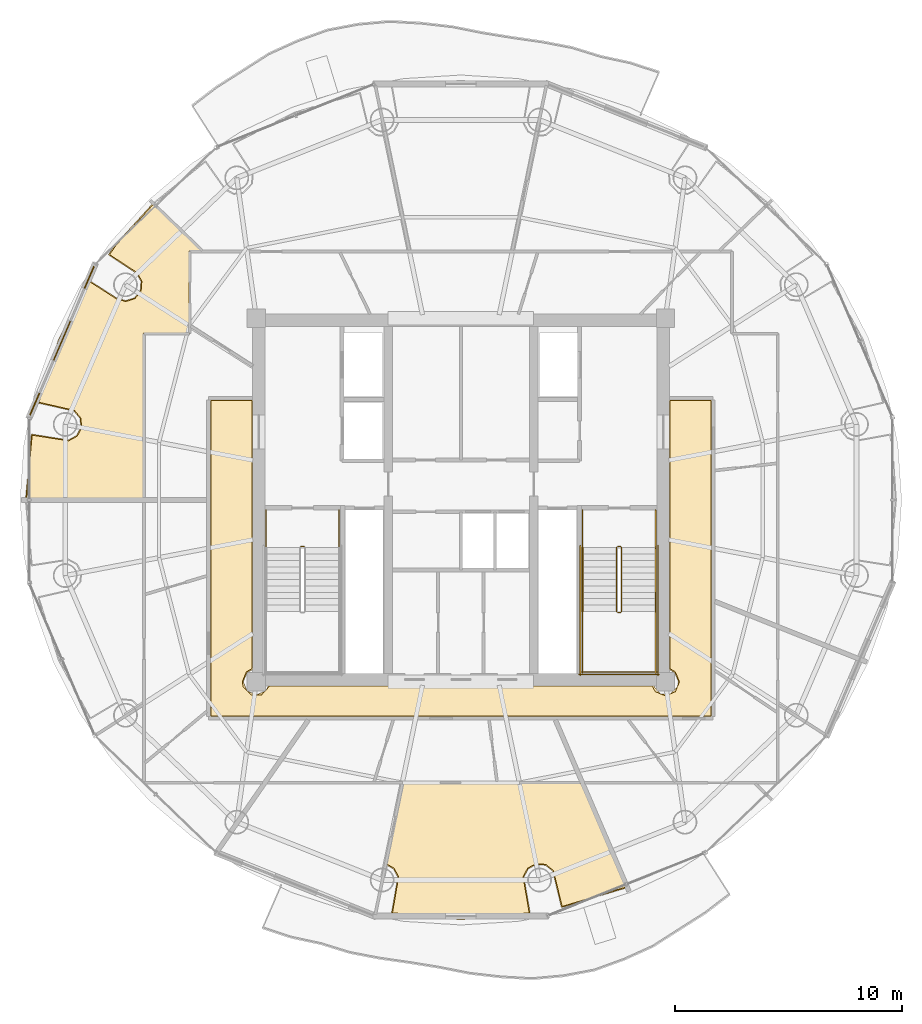
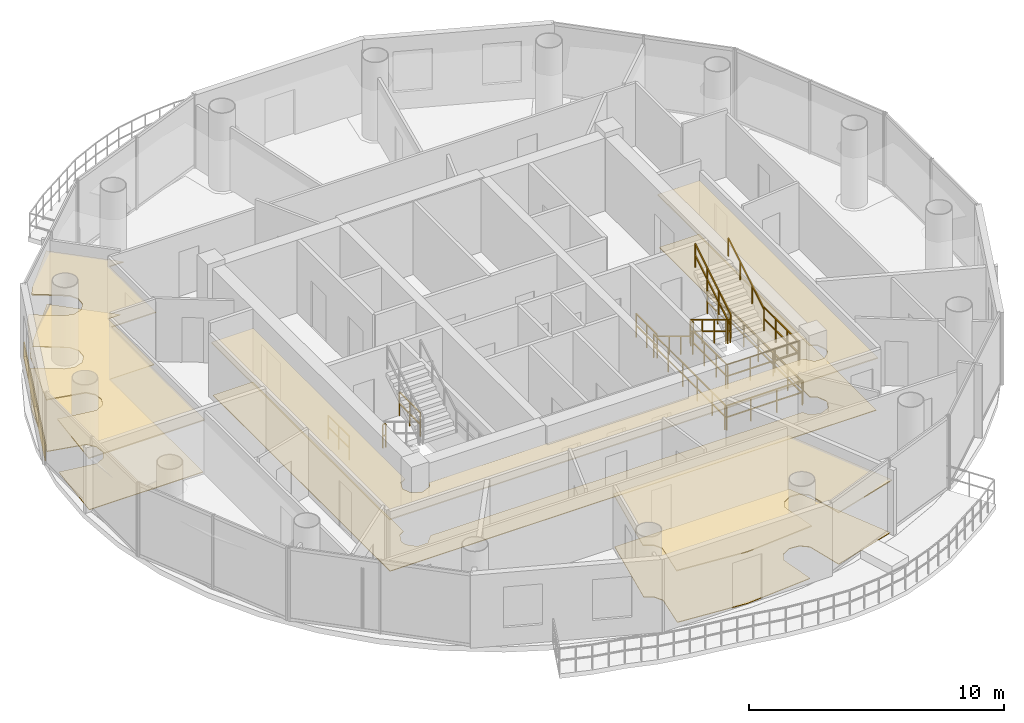
# One storey, part 23 of 24: 17 railings, 7 coverings.
"""IFC4 building model written with IfcOpenShell, lengths in metres."""

from ifc_helpers import new_model, si_unit, direction, frame, origin, origin_2d, place, context, subcontext, project, spatial, polyline, rectangle, outline, extrude, source, transform, mapped, material, layer, layer_set, type_object, element, save


model = new_model("IFC4")

# Units and contexts
model_context = context("Model", 3, precision=1e-05, world=origin(), true_north=direction((-0.2419218956, 0.970295726276)))
body_context = subcontext(model_context, "Body", "Model", "MODEL_VIEW")
ifc_project = project(units=[si_unit("LENGTHUNIT", "METRE"), si_unit("AREAUNIT", "SQUARE_METRE"), si_unit("VOLUMEUNIT", "CUBIC_METRE"), si_unit("PLANEANGLEUNIT", "RADIAN"), si_unit("MASSUNIT", "GRAM", prefix="KILO")], contexts=[model_context])

# Site, building, storey
site_placement = place(None, origin())
site = spatial("IfcSite", under=ifc_project, at=site_placement, CompositionType="ELEMENT")
building_placement = place(site_placement, origin())
building = spatial("IfcBuilding", under=site, at=building_placement, Name="Cobrevalo Terracotta Tower", CompositionType="ELEMENT")
storey_placement = place(building_placement, frame((0.0, 0.0, 278.199951171875)))
storey = spatial("IfcBuildingStorey", under=building, at=storey_placement, Name="L73", CompositionType="ELEMENT", Elevation=278.199951171875)

# Coverings
ifc_material_1 = material(Name="Engineered Brazilian hardwood flooring", Category="wood")
ifc_layer_1 = layer(ifc_material_1, 0.028076171875)
ifc_layer_set_1 = layer_set([ifc_layer_1], Name="Engineered Brazilian hardwood flooring")
covering_type_1 = type_object("IfcCoveringType", Name="Engineered Hardwood Suite Flooring 28", PredefinedType="FLOORING", material=ifc_layer_set_1)
covering_1_placement = place(storey_placement, origin())
element("IfcCovering", 1, at=covering_1_placement, inside=storey, type_object=covering_type_1, Name="Flat L73A Private Cinema Room floor finish", PredefinedType="FLOORING", context=body_context, shape_type="SweptSolid", body=[
    extrude(outline(polyline([(26.606201171875, 37.7548828125), (26.044921875, 37.7548828125), (26.044921875, 34.139892578125), (24.034912109375, 34.139892578125), (24.034912109375, 26.820068359375), (18.88134765625, 26.820068359375), (19.1357421875, 29.65087890625), (20.740966796875, 29.401611328125), (21.118408203125, 29.60693359375), (21.318115234375, 29.9873046875), (21.272705078125, 30.41455078125), (20.99755859375, 30.74462890625), (19.43505859375, 31.1005859375), (20.33544921875, 33.848876953125), (21.44140625, 36.009765625), (21.699951171875, 36.382568359375), (22.842529296875, 35.649169921875), (23.255126953125, 35.532470703125), (23.663818359375, 35.664794921875), (23.93017578125, 36.001953125), (23.964599609375, 36.43017578125), (23.7548828125, 36.805419921875), (22.5439453125, 37.599365234375), (22.830810546875, 38.01318359375), (24.47021484375, 39.81396484375), (26.606201171875, 37.7548828125)])), origin(), (0.0, 0.0, 1.0), 0.030029296875),
])
covering_2_placement = place(storey_placement, origin())
element("IfcCovering", 2, at=covering_2_placement, inside=storey, type_object=covering_type_1, Name="Flat L73C Master Bedroom floor finish", PredefinedType="FLOORING", context=body_context, shape_type="SweptSolid", body=[
    extrude(outline(polyline([(38.0, 8.380126953125), (34.994140625, 8.635498046875), (35.26416015625, 10.21630859375), (35.064453125, 10.596923828125), (34.71728515625, 10.79296875), (35.4482421875, 14.3349609375), (43.334716796875, 14.3349609375), (45.294189453125, 9.77490234375), (42.45947265625, 8.9140625), (42.074951171875, 10.49365234375), (41.74072265625, 10.763671875), (41.312744140625, 10.80224609375), (40.935546875, 10.596923828125), (40.73583984375, 10.21630859375), (41.005859375, 8.635498046875), (38.0, 8.380126953125)])), origin(), (0.0, 0.0, 1.0), 0.030029296875),
])
ifc_material_2 = material(Name="Honed terracotta and granite tile", Category="masonry")
ifc_layer_2 = layer(ifc_material_2, 0.034912109375)
ifc_layer_set_2 = layer_set([ifc_layer_2], Name="Honed terracotta and granite tile")
covering_type_2 = type_object("IfcCoveringType", Name="Honed Terracotta & Granite Interior Flooring 35", PredefinedType="FLOORING", material=ifc_layer_set_2)
covering_3_placement = place(storey_placement, origin())
element("IfcCovering", 3, at=covering_3_placement, inside=storey, type_object=covering_type_2, Name="L73 Residential Floor Corridor floor finish", PredefinedType="FLOORING", context=body_context, shape_type="SweptSolid", body=[
    extrude(outline(polyline([(26.9951171875, 31.179931640625), (28.804931640625, 31.179931640625), (28.804931640625, 19.381591796875), (28.561279296875, 19.23876953125), (28.379638671875, 18.800048828125), (28.4267578125, 18.5625), (28.7626953125, 18.226806640625), (29.2373046875, 18.226806640625), (29.58154296875, 18.60498046875), (46.41845703125, 18.60498046875), (46.561279296875, 18.361328125), (47.0, 18.1796875), (47.438720703125, 18.361328125), (47.620361328125, 18.800048828125), (47.438720703125, 19.23876953125), (47.195068359375, 19.381591796875), (47.195068359375, 31.179931640625), (49.0048828125, 31.179931640625), (49.0048828125, 17.294921875), (26.9951171875, 17.294921875), (26.9951171875, 31.179931640625)])), origin(), (0.0, 0.0, 1.0), 0.030029296875),
])
ifc_material_3 = material(Name="Acoustic perforated gypsum ceiling", Category="gypsum")
ifc_layer_3 = layer(ifc_material_3, 0.050048828125)
ifc_layer_set_3 = layer_set([ifc_layer_3], Name="Acoustic perforated gypsum ceiling")
covering_type_3 = type_object("IfcCoveringType", Name="Perforated Acoustic Gypsum Ceiling 50", PredefinedType="CEILING", material=ifc_layer_set_3)
covering_4_placement = place(storey_placement, frame((0.0, 0.0, 2.5)))
element("IfcCovering", 4, at=covering_4_placement, inside=storey, type_object=covering_type_3, Name="L73 Residential Floor Corridor acoustic ceiling", PredefinedType="CEILING", context=body_context, shape_type="SweptSolid", body=[
    extrude(outline(polyline([(26.949951171875, 31.22509765625), (28.85009765625, 31.22509765625), (28.85009765625, 19.3447265625), (28.59375, 19.206298828125), (28.425537109375, 18.800048828125), (28.59375, 18.393798828125), (29.0, 18.2255859375), (29.40625, 18.393798828125), (29.544677734375, 18.64990234375), (46.455322265625, 18.64990234375), (46.780029296875, 18.269287109375), (47.219970703125, 18.269287109375), (47.53076171875, 18.580078125), (47.574462890625, 18.800048828125), (47.40625, 19.206298828125), (47.14990234375, 19.3447265625), (47.14990234375, 31.22509765625), (49.050048828125, 31.22509765625), (49.050048828125, 17.25), (26.949951171875, 17.25), (26.949951171875, 31.22509765625)])), origin(), (0.0, 0.0, 1.0), 0.050048828125),
])
covering_5_placement = place(storey_placement, frame((0.0, 0.0, 2.5)))
element("IfcCovering", 5, at=covering_5_placement, inside=storey, type_object=covering_type_3, Name="Flat L73A Private Cinema Room acoustic ceiling", PredefinedType="CEILING", context=body_context, shape_type="SweptSolid", body=[
    extrude(outline(polyline([(26.717529296875, 37.7099609375), (26.090087890625, 37.7099609375), (26.090087890625, 34.094970703125), (24.080078125, 34.094970703125), (24.080078125, 26.77490234375), (18.833251953125, 26.77490234375), (19.100830078125, 29.703369140625), (20.731689453125, 29.44580078125), (21.086181640625, 29.638671875), (21.273681640625, 29.995849609375), (21.23095703125, 30.39697265625), (20.97265625, 30.70703125), (19.3818359375, 31.06494140625), (20.2939453125, 33.86669921875), (21.40283203125, 36.032958984375), (21.687744140625, 36.44384765625), (22.864990234375, 35.688232421875), (23.254150390625, 35.57763671875), (23.637939453125, 35.701904296875), (23.88818359375, 36.0185546875), (23.92041015625, 36.420654296875), (23.7236328125, 36.772705078125), (22.48046875, 37.586669921875), (22.795654296875, 38.041259765625), (24.468017578125, 39.87841796875), (26.717529296875, 37.7099609375)])), origin(), (0.0, 0.0, 1.0), 0.050048828125),
])
covering_6_placement = place(storey_placement, frame((0.0, 0.0, 2.5)))
element("IfcCovering", 6, at=covering_6_placement, inside=storey, type_object=covering_type_3, Name="Flat L73C Master Bedroom acoustic ceiling", PredefinedType="CEILING", context=body_context, shape_type="SweptSolid", body=[
    extrude(outline(polyline([(38.0, 8.3349609375), (34.94091796875, 8.599853515625), (35.2197265625, 10.207763671875), (35.0322265625, 10.565185546875), (34.6650390625, 10.76220703125), (35.41162109375, 14.3798828125), (43.3642578125, 14.3798828125), (45.35498046875, 9.747314453125), (42.424560546875, 8.861328125), (42.03759765625, 10.46826171875), (41.7236328125, 10.7216796875), (41.322021484375, 10.758056640625), (40.9677734375, 10.565185546875), (40.7802734375, 10.207763671875), (41.05908203125, 8.599853515625), (38.0, 8.3349609375)])), origin(), (0.0, 0.0, 1.0), 0.050048828125),
])

# Railings
ifc_material_4 = material(Name="Brushed stainless steel", Category="steel")
railing_type_1 = type_object("IfcRailingType", Name="Stainless Steel Stair Handrail 900", PredefinedType="HANDRAIL", material=ifc_material_4)
railing_1_placement = place(storey_placement, frame((43.35498046875, 24.699951171875, 0.17041015625)))
element("IfcRailing", 7, at=railing_1_placement, inside=storey, type_object=railing_type_1, Name="L73 ST-2 stair handrail 1", PredefinedType="HANDRAIL", context=body_context, shape_type="SweptSolid", body=[
    extrude(rectangle(XDim=0.048095703125, YDim=0.048095703125, at=origin_2d()), frame((0.0, 0.0, 0.8759765625), z_axis=(0.0, -0.854169791009, 0.51999420009), x_axis=(1.0, 0.0, 0.0)), (0.0, 0.0, 1.0), 3.278076171875),
    extrude(rectangle(XDim=0.0419921875, YDim=0.0419921875, at=origin_2d()), origin(), (0.0, 0.0, 1.0), 0.851806640625),
    extrude(rectangle(XDim=0.0419921875, YDim=0.0419921875, at=origin_2d()), frame((0.0, -0.933349609375, 0.568115234375)), (0.0, 0.0, 1.0), 0.851806640625),
    extrude(rectangle(XDim=0.0419921875, YDim=0.0419921875, at=origin_2d()), frame((0.0, -1.86669921875, 1.136474609375)), (0.0, 0.0, 1.0), 0.851806640625),
    extrude(rectangle(XDim=0.0419921875, YDim=0.0419921875, at=origin_2d()), frame((0.0, -2.800048828125, 1.70458984375)), (0.0, 0.0, 1.0), 0.851806640625),
])
railing_2_placement = place(storey_placement, frame((46.574951171875, 21.89990234375, 2.04541015625)))
element("IfcRailing", 8, at=railing_2_placement, inside=storey, type_object=railing_type_1, Name="L73 ST-2 stair handrail 2", PredefinedType="HANDRAIL", context=body_context, shape_type="SweptSolid", body=[
    extrude(rectangle(XDim=0.048095703125, YDim=0.048095703125, at=origin_2d()), frame((0.0, 0.0, 0.8759765625), z_axis=(0.0, 0.854169791009, 0.51999420009), x_axis=(-1.0, 0.0, 0.0)), (0.0, 0.0, 1.0), 3.278076171875),
    extrude(rectangle(XDim=0.0419921875, YDim=0.0419921875, at=origin_2d()), origin(), (0.0, 0.0, 1.0), 0.851806640625),
    extrude(rectangle(XDim=0.0419921875, YDim=0.0419921875, at=origin_2d()), frame((0.0, 0.933349609375, 0.568115234375)), (0.0, 0.0, 1.0), 0.851806640625),
    extrude(rectangle(XDim=0.0419921875, YDim=0.0419921875, at=origin_2d()), frame((0.0, 1.86669921875, 1.136474609375)), (0.0, 0.0, 1.0), 0.851806640625),
    extrude(rectangle(XDim=0.0419921875, YDim=0.0419921875, at=origin_2d()), frame((0.0, 2.800048828125, 1.70458984375)), (0.0, 0.0, 1.0), 0.851806640625),
])
ifc_material_5 = material(Name="Painted galvanized steel", Category="steel")
railing_type_2 = type_object("IfcRailingType", Name="Stair Well Guard Balustrade 1150", PredefinedType="GUARDRAIL", material=ifc_material_5)
railing_3_placement = place(storey_placement, frame((30.97509765625, 24.75, 0.0)))
element("IfcRailing", 9, at=railing_3_placement, inside=storey, type_object=railing_type_2, Name="L73 ST-1 stair guard 7", PredefinedType="GUARDRAIL", context=body_context, shape_type="SweptSolid", body=[
    extrude(rectangle(XDim=0.048095703125, YDim=0.048095703125, at=origin_2d()), frame((0.0, 0.0, 1.1259765625), z_axis=(1.0, 0.0, 0.0), x_axis=(0.0, 1.0, 0.0)), (0.0, 0.0, 1.0), 0.119873046875),
    extrude(rectangle(XDim=0.048095703125, YDim=0.048095703125, at=origin_2d()), frame((0.0, 0.0, 0.574951171875), z_axis=(1.0, 0.0, 0.0), x_axis=(0.0, 1.0, 0.0)), (0.0, 0.0, 1.0), 0.119873046875),
    extrude(rectangle(XDim=0.0419921875, YDim=0.0419921875, at=origin_2d()), origin(), (0.0, 0.0, 1.0), 1.101806640625),
    extrude(rectangle(XDim=0.0419921875, YDim=0.0419921875, at=origin_2d()), frame((0.119873046875, 0.0, 0.0)), (0.0, 0.0, 1.0), 1.101806640625),
])
for number, where, name in (
    (10, (29.425048828125, 26.35009765625, 0.0), "L73 ST-1 stair guard 8"),
    (11, (32.64501953125, 26.35009765625, 0.0), "L73 ST-1 stair guard 9"),
):
    element("IfcRailing", number, at=place(storey_placement, frame(where)), inside=storey, type_object=railing_type_2, Name=name, PredefinedType="GUARDRAIL", context=body_context, shape_type="SweptSolid", body=[
        extrude(rectangle(XDim=0.048095703125, YDim=0.048095703125, at=origin_2d()), frame((0.0, 0.0, 1.1259765625), z_axis=(0.0, -1.0, 0.0), x_axis=(1.0, 0.0, 0.0)), (0.0, 0.0, 1.0), 1.650146484375),
        extrude(rectangle(XDim=0.048095703125, YDim=0.048095703125, at=origin_2d()), frame((0.0, 0.0, 0.574951171875), z_axis=(0.0, -1.0, 0.0), x_axis=(1.0, 0.0, 0.0)), (0.0, 0.0, 1.0), 1.650146484375),
        extrude(rectangle(XDim=0.0419921875, YDim=0.0419921875, at=origin_2d()), origin(), (0.0, 0.0, 1.0), 1.101806640625),
        extrude(rectangle(XDim=0.0419921875, YDim=0.0419921875, at=origin_2d()), frame((0.0, -0.8251953125, 0.0)), (0.0, 0.0, 1.0), 1.101806640625),
        extrude(rectangle(XDim=0.0419921875, YDim=0.0419921875, at=origin_2d()), frame((0.0, -1.650146484375, 0.0)), (0.0, 0.0, 1.0), 1.101806640625),
    ])
railing_4_placement = place(storey_placement, frame((44.85498046875, 24.699951171875, 0.17041015625)))
element("IfcRailing", 12, at=railing_4_placement, inside=storey, type_object=railing_type_2, Name="L73 ST-2 stair guard 1", PredefinedType="GUARDRAIL", context=body_context, shape_type="SweptSolid", body=[
    extrude(rectangle(XDim=0.048095703125, YDim=0.048095703125, at=origin_2d()), frame((0.0, 0.0, 1.1259765625), z_axis=(0.0, -0.854169791009, 0.51999420009), x_axis=(1.0, 0.0, 0.0)), (0.0, 0.0, 1.0), 3.278076171875),
    extrude(rectangle(XDim=0.048095703125, YDim=0.048095703125, at=origin_2d()), frame((0.0, 0.0, 0.574951171875), z_axis=(0.0, -0.854169791009, 0.51999420009), x_axis=(1.0, 0.0, 0.0)), (0.0, 0.0, 1.0), 3.278076171875),
    extrude(rectangle(XDim=0.0419921875, YDim=0.0419921875, at=origin_2d()), origin(), (0.0, 0.0, 1.0), 1.101806640625),
    extrude(rectangle(XDim=0.0419921875, YDim=0.0419921875, at=origin_2d()), frame((0.0, -0.933349609375, 0.568115234375)), (0.0, 0.0, 1.0), 1.101806640625),
    extrude(rectangle(XDim=0.0419921875, YDim=0.0419921875, at=origin_2d()), frame((0.0, -1.86669921875, 1.136474609375)), (0.0, 0.0, 1.0), 1.101806640625),
    extrude(rectangle(XDim=0.0419921875, YDim=0.0419921875, at=origin_2d()), frame((0.0, -2.800048828125, 1.70458984375)), (0.0, 0.0, 1.0), 1.101806640625),
])
railing_5_placement = place(storey_placement, frame((44.905029296875, 21.85009765625, 1.875)))
element("IfcRailing", 13, at=railing_5_placement, inside=storey, type_object=railing_type_2, Name="L73 ST-2 stair guard 2", PredefinedType="GUARDRAIL", context=body_context, shape_type="SweptSolid", body=[
    extrude(rectangle(XDim=0.048095703125, YDim=0.048095703125, at=origin_2d()), frame((0.0, 0.0, 1.1259765625), z_axis=(1.0, 0.0, 0.0), x_axis=(0.0, 1.0, 0.0)), (0.0, 0.0, 1.0), 0.119873046875),
    extrude(rectangle(XDim=0.048095703125, YDim=0.048095703125, at=origin_2d()), frame((0.0, 0.0, 0.574951171875), z_axis=(1.0, 0.0, 0.0), x_axis=(0.0, 1.0, 0.0)), (0.0, 0.0, 1.0), 0.119873046875),
    extrude(rectangle(XDim=0.0419921875, YDim=0.0419921875, at=origin_2d()), origin(), (0.0, 0.0, 1.0), 1.101806640625),
    extrude(rectangle(XDim=0.0419921875, YDim=0.0419921875, at=origin_2d()), frame((0.119873046875, 0.0, 0.0)), (0.0, 0.0, 1.0), 1.101806640625),
])
for number, where, name in (
    (14, (43.35498046875, 21.89990234375, 1.875), "L73 ST-2 stair guard 3"),
    (15, (46.574951171875, 21.89990234375, 1.875), "L73 ST-2 stair guard 4"),
):
    element("IfcRailing", number, at=place(storey_placement, frame(where)), inside=storey, type_object=railing_type_2, Name=name, PredefinedType="GUARDRAIL", context=body_context, shape_type="SweptSolid", body=[
        extrude(rectangle(XDim=0.048095703125, YDim=0.048095703125, at=origin_2d()), frame((0.0, 0.0, 1.1259765625), z_axis=(0.0, -1.0, 0.0), x_axis=(1.0, 0.0, 0.0)), (0.0, 0.0, 1.0), 2.724853515625),
        extrude(rectangle(XDim=0.048095703125, YDim=0.048095703125, at=origin_2d()), frame((0.0, 0.0, 0.574951171875), z_axis=(0.0, -1.0, 0.0), x_axis=(1.0, 0.0, 0.0)), (0.0, 0.0, 1.0), 2.724853515625),
        extrude(rectangle(XDim=0.0419921875, YDim=0.0419921875, at=origin_2d()), origin(), (0.0, 0.0, 1.0), 1.101806640625),
        extrude(rectangle(XDim=0.0419921875, YDim=0.0419921875, at=origin_2d()), frame((0.0, -0.908203125, 0.0)), (0.0, 0.0, 1.0), 1.101806640625),
        extrude(rectangle(XDim=0.0419921875, YDim=0.0419921875, at=origin_2d()), frame((0.0, -1.816650390625, 0.0)), (0.0, 0.0, 1.0), 1.101806640625),
        extrude(rectangle(XDim=0.0419921875, YDim=0.0419921875, at=origin_2d()), frame((0.0, -2.724853515625, 0.0)), (0.0, 0.0, 1.0), 1.101806640625),
    ])
railing_6_placement = place(storey_placement, frame((43.304931640625, 19.22509765625, 1.875)))
element("IfcRailing", 16, at=railing_6_placement, inside=storey, type_object=railing_type_2, Name="L73 ST-2 stair guard 5", PredefinedType="GUARDRAIL", context=body_context, shape_type="SweptSolid", body=[
    extrude(rectangle(XDim=0.048095703125, YDim=0.048095703125, at=origin_2d()), frame((0.0, 0.0, 1.1259765625), z_axis=(1.0, 0.0, 0.0), x_axis=(0.0, 1.0, 0.0)), (0.0, 0.0, 1.0), 3.320068359375),
    extrude(rectangle(XDim=0.048095703125, YDim=0.048095703125, at=origin_2d()), frame((0.0, 0.0, 0.574951171875), z_axis=(1.0, 0.0, 0.0), x_axis=(0.0, 1.0, 0.0)), (0.0, 0.0, 1.0), 3.320068359375),
    extrude(rectangle(XDim=0.0419921875, YDim=0.0419921875, at=origin_2d()), origin(), (0.0, 0.0, 1.0), 1.101806640625),
    extrude(rectangle(XDim=0.0419921875, YDim=0.0419921875, at=origin_2d()), frame((1.106689453125, 0.0, 0.0)), (0.0, 0.0, 1.0), 1.101806640625),
    extrude(rectangle(XDim=0.0419921875, YDim=0.0419921875, at=origin_2d()), frame((2.21337890625, 0.0, 0.0)), (0.0, 0.0, 1.0), 1.101806640625),
    extrude(rectangle(XDim=0.0419921875, YDim=0.0419921875, at=origin_2d()), frame((3.320068359375, 0.0, 0.0)), (0.0, 0.0, 1.0), 1.101806640625),
])
railing_7_placement = place(storey_placement, frame((45.074951171875, 21.89990234375, 2.04541015625)))
element("IfcRailing", 17, at=railing_7_placement, inside=storey, type_object=railing_type_2, Name="L73 ST-2 stair guard 6", PredefinedType="GUARDRAIL", context=body_context, shape_type="SweptSolid", body=[
    extrude(rectangle(XDim=0.048095703125, YDim=0.048095703125, at=origin_2d()), frame((0.0, 0.0, 1.1259765625), z_axis=(0.0, 0.854169791009, 0.51999420009), x_axis=(-1.0, 0.0, 0.0)), (0.0, 0.0, 1.0), 3.278076171875),
    extrude(rectangle(XDim=0.048095703125, YDim=0.048095703125, at=origin_2d()), frame((0.0, 0.0, 0.574951171875), z_axis=(0.0, 0.854169791009, 0.51999420009), x_axis=(-1.0, 0.0, 0.0)), (0.0, 0.0, 1.0), 3.278076171875),
    extrude(rectangle(XDim=0.0419921875, YDim=0.0419921875, at=origin_2d()), origin(), (0.0, 0.0, 1.0), 1.101806640625),
    extrude(rectangle(XDim=0.0419921875, YDim=0.0419921875, at=origin_2d()), frame((0.0, 0.933349609375, 0.568115234375)), (0.0, 0.0, 1.0), 1.101806640625),
    extrude(rectangle(XDim=0.0419921875, YDim=0.0419921875, at=origin_2d()), frame((0.0, 1.86669921875, 1.136474609375)), (0.0, 0.0, 1.0), 1.101806640625),
    extrude(rectangle(XDim=0.0419921875, YDim=0.0419921875, at=origin_2d()), frame((0.0, 2.800048828125, 1.70458984375)), (0.0, 0.0, 1.0), 1.101806640625),
])
railing_8_placement = place(storey_placement, frame((44.905029296875, 24.75, 0.0)))
element("IfcRailing", 18, at=railing_8_placement, inside=storey, type_object=railing_type_2, Name="L73 ST-2 stair guard 7", PredefinedType="GUARDRAIL", context=body_context, shape_type="SweptSolid", body=[
    extrude(rectangle(XDim=0.048095703125, YDim=0.048095703125, at=origin_2d()), frame((0.0, 0.0, 1.1259765625), z_axis=(1.0, 0.0, 0.0), x_axis=(0.0, 1.0, 0.0)), (0.0, 0.0, 1.0), 0.119873046875),
    extrude(rectangle(XDim=0.048095703125, YDim=0.048095703125, at=origin_2d()), frame((0.0, 0.0, 0.574951171875), z_axis=(1.0, 0.0, 0.0), x_axis=(0.0, 1.0, 0.0)), (0.0, 0.0, 1.0), 0.119873046875),
    extrude(rectangle(XDim=0.0419921875, YDim=0.0419921875, at=origin_2d()), origin(), (0.0, 0.0, 1.0), 1.101806640625),
    extrude(rectangle(XDim=0.0419921875, YDim=0.0419921875, at=origin_2d()), frame((0.119873046875, 0.0, 0.0)), (0.0, 0.0, 1.0), 1.101806640625),
])
for number, where, name in (
    (19, (43.35498046875, 26.35009765625, 0.0), "L73 ST-2 stair guard 8"),
    (20, (46.574951171875, 26.35009765625, 0.0), "L73 ST-2 stair guard 9"),
):
    element("IfcRailing", number, at=place(storey_placement, frame(where)), inside=storey, type_object=railing_type_2, Name=name, PredefinedType="GUARDRAIL", context=body_context, shape_type="SweptSolid", body=[
        extrude(rectangle(XDim=0.048095703125, YDim=0.048095703125, at=origin_2d()), frame((0.0, 0.0, 1.1259765625), z_axis=(0.0, -1.0, 0.0), x_axis=(1.0, 0.0, 0.0)), (0.0, 0.0, 1.0), 1.650146484375),
        extrude(rectangle(XDim=0.048095703125, YDim=0.048095703125, at=origin_2d()), frame((0.0, 0.0, 0.574951171875), z_axis=(0.0, -1.0, 0.0), x_axis=(1.0, 0.0, 0.0)), (0.0, 0.0, 1.0), 1.650146484375),
        extrude(rectangle(XDim=0.0419921875, YDim=0.0419921875, at=origin_2d()), origin(), (0.0, 0.0, 1.0), 1.101806640625),
        extrude(rectangle(XDim=0.0419921875, YDim=0.0419921875, at=origin_2d()), frame((0.0, -0.8251953125, 0.0)), (0.0, 0.0, 1.0), 1.101806640625),
        extrude(rectangle(XDim=0.0419921875, YDim=0.0419921875, at=origin_2d()), frame((0.0, -1.650146484375, 0.0)), (0.0, 0.0, 1.0), 1.101806640625),
    ])
for number, where, name in (
    (21, (43.2548828125, 24.800048828125, 0.0), "L73 ST-2 stair guard 10"),
    (22, (46.675048828125, 24.800048828125, 0.0), "L73 ST-2 stair guard 11"),
):
    element("IfcRailing", number, at=place(storey_placement, frame(where)), inside=storey, type_object=railing_type_2, Name=name, PredefinedType="GUARDRAIL", context=body_context, shape_type="SweptSolid", body=[
        extrude(rectangle(XDim=0.048095703125, YDim=0.048095703125, at=origin_2d()), frame((0.0, 0.0, 1.1259765625), z_axis=(0.0, -1.0, 0.0), x_axis=(1.0, 0.0, 0.0)), (0.0, 0.0, 1.0), 5.72509765625),
        extrude(rectangle(XDim=0.048095703125, YDim=0.048095703125, at=origin_2d()), frame((0.0, 0.0, 0.574951171875), z_axis=(0.0, -1.0, 0.0), x_axis=(1.0, 0.0, 0.0)), (0.0, 0.0, 1.0), 5.72509765625),
        extrude(rectangle(XDim=0.0419921875, YDim=0.0419921875, at=origin_2d()), origin(), (0.0, 0.0, 1.0), 1.101806640625),
        extrude(rectangle(XDim=0.0419921875, YDim=0.0419921875, at=origin_2d()), frame((0.0, -1.14501953125, 0.0)), (0.0, 0.0, 1.0), 1.101806640625),
        extrude(rectangle(XDim=0.0419921875, YDim=0.0419921875, at=origin_2d()), frame((0.0, -2.2900390625, 0.0)), (0.0, 0.0, 1.0), 1.101806640625),
        extrude(rectangle(XDim=0.0419921875, YDim=0.0419921875, at=origin_2d()), frame((0.0, -3.43505859375, 0.0)), (0.0, 0.0, 1.0), 1.101806640625),
        extrude(rectangle(XDim=0.0419921875, YDim=0.0419921875, at=origin_2d()), frame((0.0, -4.580078125, 0.0)), (0.0, 0.0, 1.0), 1.101806640625),
        extrude(rectangle(XDim=0.0419921875, YDim=0.0419921875, at=origin_2d()), frame((0.0, -5.72509765625, 0.0)), (0.0, 0.0, 1.0), 1.101806640625),
    ])
railing_9_placement = place(storey_placement, frame((43.205078125, 19.125, 0.0)))
element("IfcRailing", 23, at=railing_9_placement, inside=storey, type_object=railing_type_2, Name="L73 ST-2 stair guard 12", PredefinedType="GUARDRAIL", context=body_context, shape_type="SweptSolid", body=[
    extrude(rectangle(XDim=0.048095703125, YDim=0.048095703125, at=origin_2d()), frame((0.0, 0.0, 1.1259765625), z_axis=(1.0, 0.0, 0.0), x_axis=(0.0, 1.0, 0.0)), (0.0, 0.0, 1.0), 3.52001953125),
    extrude(rectangle(XDim=0.048095703125, YDim=0.048095703125, at=origin_2d()), frame((0.0, 0.0, 0.574951171875), z_axis=(1.0, 0.0, 0.0), x_axis=(0.0, 1.0, 0.0)), (0.0, 0.0, 1.0), 3.52001953125),
    extrude(rectangle(XDim=0.0419921875, YDim=0.0419921875, at=origin_2d()), origin(), (0.0, 0.0, 1.0), 1.101806640625),
    extrude(rectangle(XDim=0.0419921875, YDim=0.0419921875, at=origin_2d()), frame((1.17333984375, 0.0, 0.0)), (0.0, 0.0, 1.0), 1.101806640625),
    extrude(rectangle(XDim=0.0419921875, YDim=0.0419921875, at=origin_2d()), frame((2.3466796875, 0.0, 0.0)), (0.0, 0.0, 1.0), 1.101806640625),
    extrude(rectangle(XDim=0.0419921875, YDim=0.0419921875, at=origin_2d()), frame((3.52001953125, 0.0, 0.0)), (0.0, 0.0, 1.0), 1.101806640625),
])

# Covering
ifc_material_6 = material(Name="Glazed terracotta facade cladding tile", Category="masonry")
ifc_layer_4 = layer(ifc_material_6, 0.044921875)
ifc_layer_set_4 = layer_set([ifc_layer_4], Name="Glazed terracotta facade cladding tile")
covering_type_4 = type_object("IfcCoveringType", Name="Architectural terracotta rainscreen spandrel cladding 45 mm", PredefinedType="CLADDING", material=ifc_layer_set_4)
shared_shape = source(origin(), body_context, "Body", "SweptSolid", [
    extrude(rectangle(XDim=7.125244140625, YDim=0.044921875, at=origin_2d()), origin(), (0.0, 0.0, 1.0), 0.760009765625),
])
covering_7_placement = place(storey_placement, frame((20.4482421875, 33.807373046875, 0.0400390625), z_axis=(0.0, 0.0, 1.0), x_axis=(-0.394828845134, -0.918754691444, 0.0)))
element("IfcCovering", 24, at=covering_7_placement, inside=storey, type_object=covering_type_4, Name="L73 terracotta spandrel cladding S07", PredefinedType="CLADDING", context=body_context, shape_type="MappedRepresentation", body=[
    mapped(shared_shape, transform((0.0, 0.0, 0.0), scale=1.0)),
])

save(model, "model.ifc")
